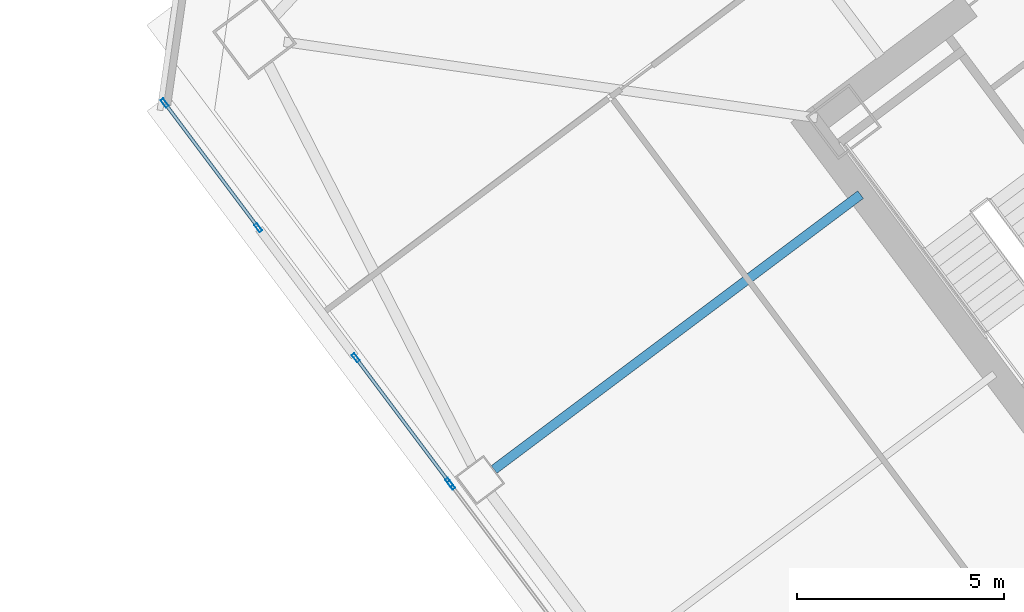
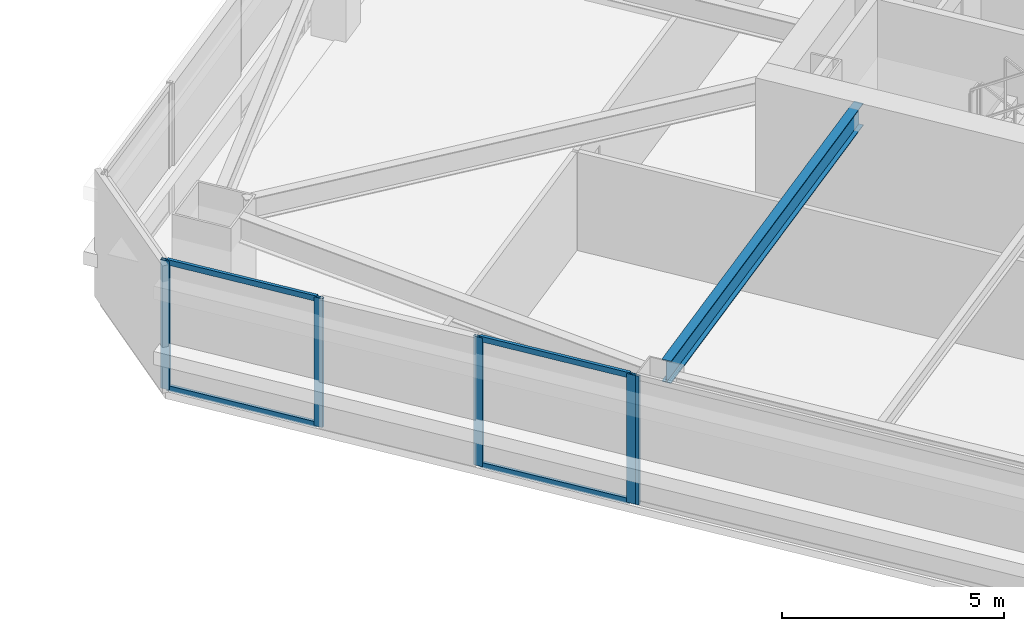
# One storey, part 23 of 48: 9 members, 1 beam, 3 elements without a shape of their own.
"""IFC4 building model written with IfcOpenShell, lengths in metres."""

from ifc_helpers import new_model, si_unit, direction, frame, origin, origin_2d, place, context, subcontext, project, spatial, hollow_rectangle, i_section, extrude, material, material_profile, profile_set, type_object, element, aggregate, save


model = new_model("IFC4")

# Units and contexts
model_context = context("Model", 3, precision=1e-05, world=origin(), true_north=direction((0.0, 1.0)))
body_context = subcontext(model_context, "Body", "Model", "MODEL_VIEW")
ifc_project = project(units=[si_unit("LENGTHUNIT", "METRE"), si_unit("AREAUNIT", "SQUARE_METRE"), si_unit("VOLUMEUNIT", "CUBIC_METRE"), si_unit("PLANEANGLEUNIT", "RADIAN"), si_unit("MASSUNIT", "GRAM", prefix="KILO")], contexts=[model_context])

# Site, building, storey
site_placement = place(None, origin())
site = spatial("IfcSite", under=ifc_project, at=site_placement, CompositionType="ELEMENT")
building_placement = place(site_placement, origin())
building = spatial("IfcBuilding", under=site, at=building_placement, Name="Tashvorn Skyway Center", CompositionType="ELEMENT")
storey_placement = place(building_placement, frame((0.0, 0.0, 77.85009765625)))
storey = spatial("IfcBuildingStorey", under=building, at=storey_placement, Name="L20", CompositionType="ELEMENT", Elevation=77.85009765625)

# Beam
ifc_material_1 = material(Name="Steel ASTM A992 Grade 50", Category="steel")
ifc_material_profile_1 = material_profile(ifc_material_1, i_section(OverallWidth=0.22998046875, OverallDepth=0.616943359375, WebThickness=0.01318359375, FlangeThickness=0.022216796875, at=origin_2d()), Name="W24X94")
ifc_profile_set_1 = profile_set([ifc_material_profile_1], Name="Steel ASTM A992 Grade 50")
beam_type = type_object("IfcBeamType", Name="BM-BEAM-W24X94", PredefinedType="BEAM", material=ifc_profile_set_1)
beam_placement = place(storey_placement, frame((95.696044921875, 25.02197265625, 3.04150390625), z_axis=(0.799989394625, 0.60001414024, 0.0), x_axis=(-0.60001414024, 0.799989394625, 0.0)))
element("IfcBeam", 1, at=beam_placement, inside=storey, type_object=beam_type, Name="Tower 2 L20 Primary Floor Girder FC-W1", PredefinedType="BEAM", context=body_context, shape_type="SweptSolid", body=[
    extrude(i_section(OverallWidth=0.22998046875, OverallDepth=0.616943359375, WebThickness=0.01318359375, FlangeThickness=0.022216796875, at=origin_2d()), origin(), (0.0, 0.0, 1.0), 11.050048828125),
])

# Curtain wall, member
ifc_material_2 = material(Name="Thermally broken bronze-anodized aluminium 6063-T6", Category="aluminium")
curtain_wall_type = type_object("IfcCurtainWallType", Name="CW-CW-Z2", PredefinedType="NOTDEFINED", material=ifc_material_2)
curtain_wall_1_placement = place(storey_placement, origin())
curtain_wall_1 = element("IfcCurtainWall", 2, at=curtain_wall_1_placement, inside=storey, type_object=curtain_wall_type, Name="Tower 2 L20 West Unitised Curtain Wall Glazing Group 3", PredefinedType="NOTDEFINED")
ifc_material_profile_2 = material_profile(ifc_material_2, hollow_rectangle(XDim=0.080078125, YDim=0.219970703125, WallThickness=0.0048828125, at=origin_2d()), Name="ALU-MULL-80x220")
ifc_profile_set_2 = profile_set([ifc_material_profile_2], Name="Thermally broken bronze-anodized aluminium 6063-T6")
member_type_1 = type_object("IfcMemberType", Name="CWM-CW-Z2", PredefinedType="MULLION", material=ifc_profile_set_2)
member_1_placement = place(storey_placement, frame((94.6640625, 24.64794921875, 0.0), z_axis=(0.0, 0.0, 1.0), x_axis=(-0.799999999998, -0.600000000002, 0.0)))
member_1 = element("IfcMember", 3, at=member_1_placement, type_object=member_type_1, Name="CW-Z2 mullion 2", PredefinedType="MULLION", context=body_context, shape_type="SweptSolid", body=[
    extrude(hollow_rectangle(XDim=0.080078125, YDim=0.219970703125, WallThickness=0.0048828125, at=origin_2d()), origin(), (0.0, 0.0, 1.0), 3.5498046875),
])
aggregate(curtain_wall_1, [member_1])

# Curtain wall, members
curtain_wall_2_placement = place(storey_placement, origin())
curtain_wall_2 = element("IfcCurtainWall", 4, at=curtain_wall_2_placement, inside=storey, type_object=curtain_wall_type, Name="Tower 2 L20 West Unitised Curtain Wall Glazing Group 4", PredefinedType="NOTDEFINED")
member_2_placement = place(storey_placement, frame((94.615966796875, 24.7119140625, 0.0), z_axis=(0.0, 0.0, 1.0), x_axis=(-0.799999999998, -0.600000000002, 0.0)))
member_2 = element("IfcMember", 5, at=member_2_placement, type_object=member_type_1, Name="CW-Z2 mullion 1", PredefinedType="MULLION", context=body_context, shape_type="SweptSolid", body=[
    extrude(hollow_rectangle(XDim=0.080078125, YDim=0.219970703125, WallThickness=0.0048828125, at=origin_2d()), origin(), (0.0, 0.0, 1.0), 3.5498046875),
])
member_3_placement = place(storey_placement, frame((92.360107421875, 27.719970703125, 0.0), z_axis=(0.0, 0.0, 1.0), x_axis=(-0.799999999998, -0.600000000002, 0.0)))
member_3 = element("IfcMember", 6, at=member_3_placement, type_object=member_type_1, Name="CW-Z2 mullion 2", PredefinedType="MULLION", context=body_context, shape_type="SweptSolid", body=[
    extrude(hollow_rectangle(XDim=0.080078125, YDim=0.219970703125, WallThickness=0.0048828125, at=origin_2d()), origin(), (0.0, 0.0, 1.0), 3.5498046875),
])

curtain_wall_3_placement = place(storey_placement, origin())
curtain_wall_3 = element("IfcCurtainWall", 7, at=curtain_wall_3_placement, inside=storey, type_object=curtain_wall_type, Name="Tower 2 L20 West Unitised Curtain Wall Glazing Group 5", PredefinedType="NOTDEFINED")
member_4_placement = place(storey_placement, frame((90.008056640625, 30.85595703125, 0.0), z_axis=(0.0, 0.0, 1.0), x_axis=(-0.799999999998, -0.600000000002, 0.0)))
member_4 = element("IfcMember", 8, at=member_4_placement, type_object=member_type_1, Name="CW-Z2 mullion 1", PredefinedType="MULLION", context=body_context, shape_type="SweptSolid", body=[
    extrude(hollow_rectangle(XDim=0.080078125, YDim=0.219970703125, WallThickness=0.0048828125, at=origin_2d()), origin(), (0.0, 0.0, 1.0), 3.5498046875),
])
member_5_placement = place(storey_placement, frame((87.751953125, 33.864013671875, 0.0), z_axis=(0.0, 0.0, 1.0), x_axis=(-0.799999999998, -0.600000000002, 0.0)))
member_5 = element("IfcMember", 9, at=member_5_placement, type_object=member_type_1, Name="CW-Z2 mullion 2", PredefinedType="MULLION", context=body_context, shape_type="SweptSolid", body=[
    extrude(hollow_rectangle(XDim=0.080078125, YDim=0.219970703125, WallThickness=0.0048828125, at=origin_2d()), origin(), (0.0, 0.0, 1.0), 3.5498046875),
])

# Member
ifc_material_profile_3 = material_profile(ifc_material_2, hollow_rectangle(XDim=0.080078125, YDim=0.14990234375, WallThickness=0.00439453125, at=origin_2d()), Name="ALU-TRAN-80x150")
ifc_profile_set_3 = profile_set([ifc_material_profile_3], Name="Thermally broken bronze-anodized aluminium 6063-T6")
member_type_2 = type_object("IfcMemberType", Name="CWT-CW-Z2", PredefinedType="USERDEFINED", material=ifc_profile_set_3)
member_6_placement = place(storey_placement, frame((94.592041015625, 24.743896484375, 0.039794921875), z_axis=(-0.599989385363, 0.800007960868, 0.0), x_axis=(-0.800007960868, -0.599989385363, 0.0)))
member_6 = element("IfcMember", 10, at=member_6_placement, type_object=member_type_2, Name="CW-Z2 transom 1.1", ObjectType="TRANSOM", PredefinedType="USERDEFINED", context=body_context, shape_type="SweptSolid", body=[
    extrude(hollow_rectangle(XDim=0.080078125, YDim=0.14990234375, WallThickness=0.00439453125, at=origin_2d()), origin(), (0.0, 0.0, 1.0), 3.68017578125),
])

member_7_placement = place(storey_placement, frame((94.592041015625, 24.743896484375, 3.510009765625), z_axis=(-0.599989385363, 0.800007960868, 0.0), x_axis=(-0.800007960868, -0.599989385363, 0.0)))
member_7 = element("IfcMember", 11, at=member_7_placement, type_object=member_type_2, Name="CW-Z2 transom 1.2", ObjectType="TRANSOM", PredefinedType="USERDEFINED", context=body_context, shape_type="SweptSolid", body=[
    extrude(hollow_rectangle(XDim=0.080078125, YDim=0.14990234375, WallThickness=0.00439453125, at=origin_2d()), origin(), (0.0, 0.0, 1.0), 3.68017578125),
])

aggregate(curtain_wall_2, [member_2, member_3, member_6, member_7])

member_8_placement = place(storey_placement, frame((89.98388671875, 30.887939453125, 0.039794921875), z_axis=(-0.599989385363, 0.800007960868, 0.0), x_axis=(-0.800007960868, -0.599989385363, 0.0)))
member_8 = element("IfcMember", 12, at=member_8_placement, type_object=member_type_2, Name="CW-Z2 transom 1.1", ObjectType="TRANSOM", PredefinedType="USERDEFINED", context=body_context, shape_type="SweptSolid", body=[
    extrude(hollow_rectangle(XDim=0.080078125, YDim=0.14990234375, WallThickness=0.00439453125, at=origin_2d()), origin(), (0.0, 0.0, 1.0), 3.68017578125),
])

member_9_placement = place(storey_placement, frame((89.98388671875, 30.887939453125, 3.510009765625), z_axis=(-0.599989385363, 0.800007960868, 0.0), x_axis=(-0.800007960868, -0.599989385363, 0.0)))
member_9 = element("IfcMember", 13, at=member_9_placement, type_object=member_type_2, Name="CW-Z2 transom 1.2", ObjectType="TRANSOM", PredefinedType="USERDEFINED", context=body_context, shape_type="SweptSolid", body=[
    extrude(hollow_rectangle(XDim=0.080078125, YDim=0.14990234375, WallThickness=0.00439453125, at=origin_2d()), origin(), (0.0, 0.0, 1.0), 3.68017578125),
])

aggregate(curtain_wall_3, [member_4, member_5, member_8, member_9])

save(model, "model.ifc")
